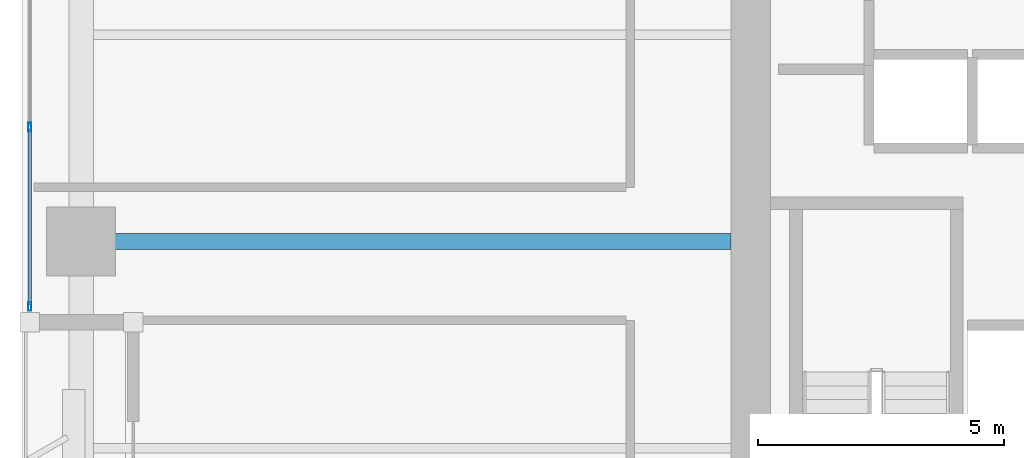
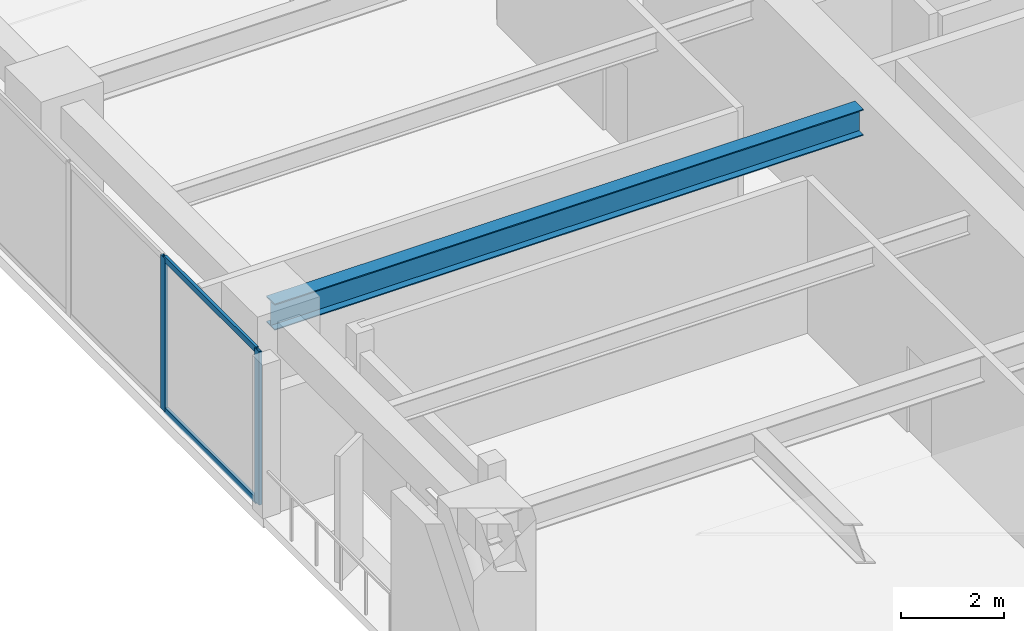
# One storey, part 2 of 24: 4 members, 1 beam, 1 element without a shape of its own.
"""IFC4 building model written with IfcOpenShell, lengths in metres."""

from ifc_helpers import new_model, si_unit, direction, frame, origin, origin_2d, place, context, subcontext, project, spatial, hollow_rectangle, i_section, extrude, material, layer, layer_set, material_profile, profile_set, type_object, element, aggregate, save


model = new_model("IFC4")

# Units and contexts
model_context = context("Model", 3, precision=1e-05, world=origin(), true_north=direction((0.0, 1.0)))
body_context = subcontext(model_context, "Body", "Model", "MODEL_VIEW")
ifc_project = project(units=[si_unit("LENGTHUNIT", "METRE"), si_unit("AREAUNIT", "SQUARE_METRE"), si_unit("VOLUMEUNIT", "CUBIC_METRE"), si_unit("PLANEANGLEUNIT", "RADIAN"), si_unit("MASSUNIT", "GRAM", prefix="KILO")], contexts=[model_context])

# Site, building, storey
site_placement = place(None, origin())
site = spatial("IfcSite", under=ifc_project, at=site_placement, CompositionType="ELEMENT")
building_placement = place(site_placement, origin())
building = spatial("IfcBuilding", under=site, at=building_placement, Name="Kiyonajd Concourse Tower", CompositionType="ELEMENT")
storey_placement = place(building_placement, frame((0.0, 0.0, 137.699951171875)))
storey = spatial("IfcBuildingStorey", under=building, at=storey_placement, Name="L35", CompositionType="ELEMENT", Elevation=137.699951171875)

# Beam
ifc_material_1 = material(Name="Steel ASTM A992 Grade 50", Category="steel")
ifc_material_profile_1 = material_profile(ifc_material_1, i_section(OverallWidth=0.326904296875, OverallDepth=0.6220703125, WebThickness=0.015380859375, FlangeThickness=0.0244140625, at=origin_2d()), Name="W610X195")
ifc_profile_set_1 = profile_set([ifc_material_profile_1], Name="Steel ASTM A992 Grade 50")
beam_type = type_object("IfcBeamType", Name="BM-TWR-610A", PredefinedType="BEAM", material=ifc_profile_set_1)
beam_placement = place(storey_placement, frame((19.199951171875, 36.0, 3.3291015625), z_axis=(1.0, 0.0, 0.0), x_axis=(0.0, 1.0, 0.0)))
element("IfcBeam", 1, at=beam_placement, inside=storey, type_object=beam_type, Name="L35 West Lease Girder", PredefinedType="BEAM", context=body_context, shape_type="SweptSolid", body=[
    extrude(i_section(OverallWidth=0.326904296875, OverallDepth=0.6220703125, WebThickness=0.015380859375, FlangeThickness=0.0244140625, at=origin_2d()), origin(), (0.0, 0.0, 1.0), 13.199951171875),
])

# Curtain wall, members
ifc_material_2 = material(Name="Thermally Broken Anodised Aluminium", Category="aluminium")
ifc_layer = layer(ifc_material_2, 0.179931640625)
ifc_layer_set = layer_set([ifc_layer], Name="Thermally Broken Anodised Aluminium")
curtain_wall_type = type_object("IfcCurtainWallType", Name="CW-SYS-03", PredefinedType="NOTDEFINED", material=ifc_layer_set)
curtain_wall_placement = place(storey_placement, origin())
curtain_wall = element("IfcCurtainWall", 2, at=curtain_wall_placement, inside=storey, type_object=curtain_wall_type, Name="L35 Unitised Curtain Wall CW3", PredefinedType="NOTDEFINED")
ifc_material_profile_2 = material_profile(ifc_material_2, hollow_rectangle(XDim=0.06494140625, YDim=0.179931640625, WallThickness=0.00390625, at=origin_2d()), Name="MULL-65x180")
ifc_profile_set_2 = profile_set([ifc_material_profile_2], Name="Thermally Broken Anodised Aluminium")
member_type_1 = type_object("IfcMemberType", Name="MB-CW-MULL1", PredefinedType="MULLION", material=ifc_profile_set_2)
member_1_placement = place(storey_placement, frame((18.159912109375, 34.6826171875, 0.0), z_axis=(0.0, 0.0, 1.0), x_axis=(-1.0, 0.0, 0.0)))
member_1 = element("IfcMember", 3, at=member_1_placement, type_object=member_type_1, Name="CW3 mullion 1", PredefinedType="MULLION", context=body_context, shape_type="SweptSolid", body=[
    extrude(hollow_rectangle(XDim=0.06494140625, YDim=0.179931640625, WallThickness=0.00390625, at=origin_2d()), origin(), (0.0, 0.0, 1.0), 3.64013671875),
])
member_2_placement = place(storey_placement, frame((18.159912109375, 38.3232421875, 0.0), z_axis=(0.0, 0.0, 1.0), x_axis=(-1.0, 0.0, 0.0)))
member_2 = element("IfcMember", 4, at=member_2_placement, type_object=member_type_1, Name="CW3 mullion 2", PredefinedType="MULLION", context=body_context, shape_type="SweptSolid", body=[
    extrude(hollow_rectangle(XDim=0.06494140625, YDim=0.179931640625, WallThickness=0.00390625, at=origin_2d()), origin(), (0.0, 0.0, 1.0), 3.64013671875),
])
ifc_material_profile_3 = material_profile(ifc_material_2, hollow_rectangle(XDim=0.06494140625, YDim=0.139892578125, WallThickness=0.00390625, at=origin_2d()), Name="TRAN-65x140")
ifc_profile_set_3 = profile_set([ifc_material_profile_3], Name="Thermally Broken Anodised Aluminium")
member_type_2 = type_object("IfcMemberType", Name="MB-CW-TRAN1", PredefinedType="USERDEFINED", material=ifc_profile_set_3)
member_3_placement = place(storey_placement, frame((18.159912109375, 34.715087890625, 0.032470703125), z_axis=(0.0, 1.0, 0.0), x_axis=(-1.0, 0.0, 0.0)))
member_3 = element("IfcMember", 5, at=member_3_placement, type_object=member_type_2, Name="CW3 transom 1.1", ObjectType="TRANSOM", PredefinedType="USERDEFINED", context=body_context, shape_type="SweptSolid", body=[
    extrude(hollow_rectangle(XDim=0.06494140625, YDim=0.139892578125, WallThickness=0.00390625, at=origin_2d()), origin(), (0.0, 0.0, 1.0), 3.57568359375),
])
member_4_placement = place(storey_placement, frame((18.159912109375, 34.715087890625, 3.607666015625), z_axis=(0.0, 1.0, 0.0), x_axis=(-1.0, 0.0, 0.0)))
member_4 = element("IfcMember", 6, at=member_4_placement, type_object=member_type_2, Name="CW3 transom 1.2", ObjectType="TRANSOM", PredefinedType="USERDEFINED", context=body_context, shape_type="SweptSolid", body=[
    extrude(hollow_rectangle(XDim=0.06494140625, YDim=0.139892578125, WallThickness=0.00390625, at=origin_2d()), origin(), (0.0, 0.0, 1.0), 3.57568359375),
])
aggregate(curtain_wall, [member_1, member_2, member_3, member_4])

save(model, "model.ifc")
